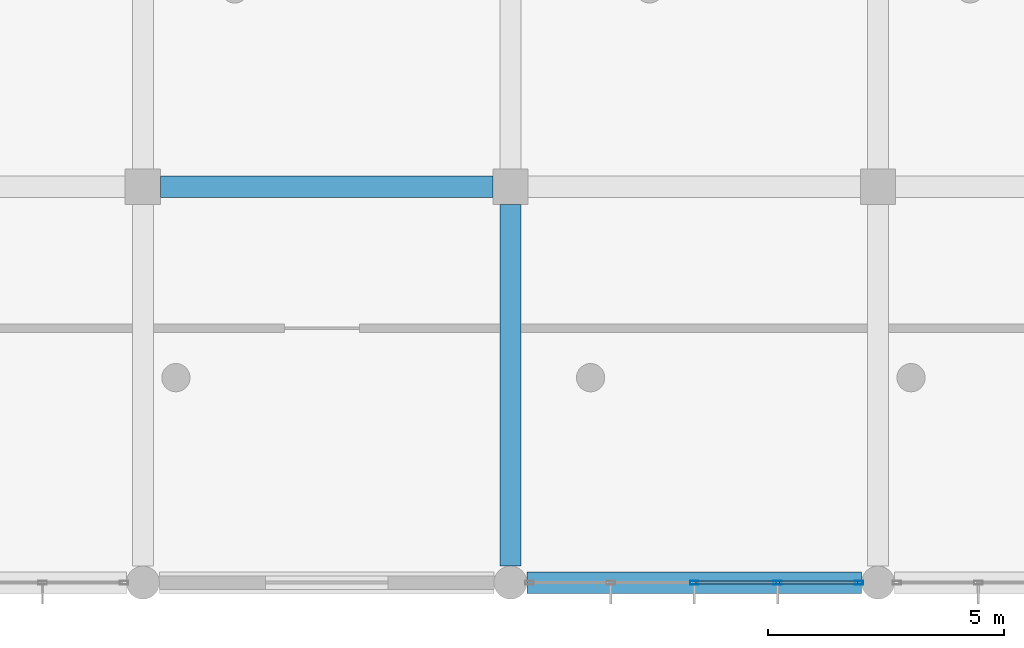
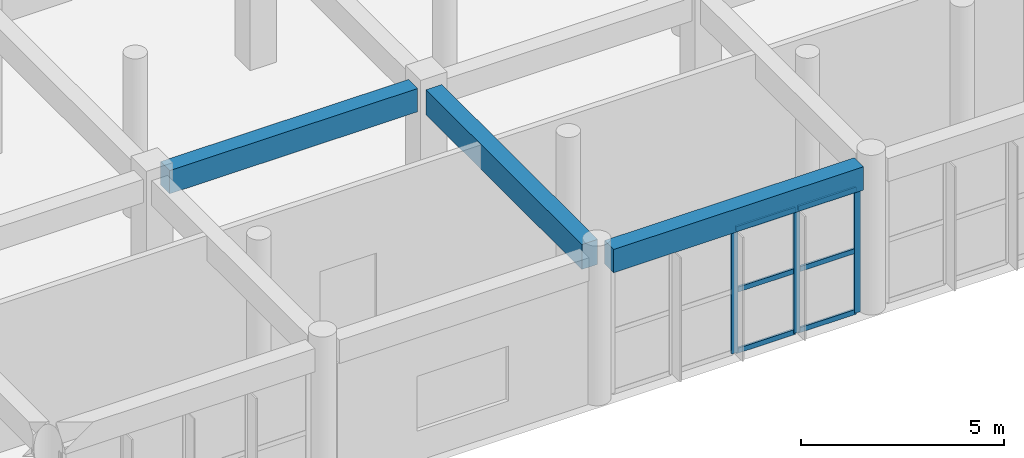
# One storey, part 34 of 167: 9 members, 3 beams, 1 element without a shape of its own.
"""IFC4 building model written with IfcOpenShell, lengths in metres."""

from ifc_helpers import new_model, si_unit, direction, frame, origin, origin_2d, place, context, subcontext, project, spatial, rectangle, hollow_rectangle, extrude, material, layer, layer_set, material_profile, profile_set, type_object, element, aggregate, save


model = new_model("IFC4")

# Units and contexts
model_context = context("Model", 3, precision=1e-05, world=origin(), true_north=direction((0.0, 1.0)))
body_context = subcontext(model_context, "Body", "Model", "MODEL_VIEW")
ifc_project = project(units=[si_unit("LENGTHUNIT", "METRE"), si_unit("AREAUNIT", "SQUARE_METRE"), si_unit("VOLUMEUNIT", "CUBIC_METRE"), si_unit("PLANEANGLEUNIT", "RADIAN"), si_unit("MASSUNIT", "GRAM", prefix="KILO")], contexts=[model_context])

# Site, building, storey
site_placement = place(None, origin())
site = spatial("IfcSite", under=ifc_project, at=site_placement, CompositionType="ELEMENT")
building_placement = place(site_placement, origin())
building = spatial("IfcBuilding", under=site, at=building_placement, Name="Zizhar Promenade General Hospital", CompositionType="ELEMENT")
storey_placement = place(building_placement, frame((0.0, 0.0, 9.60009765625)))
storey = spatial("IfcBuildingStorey", under=building, at=storey_placement, Name="L02", CompositionType="ELEMENT", Elevation=9.60009765625)

# Beams
ifc_material_1 = material(Name="Concrete C35/45", Category="concrete")
ifc_material_profile_1 = material_profile(ifc_material_1, rectangle(XDim=0.449951171875, YDim=0.699951171875, at=origin_2d()))
ifc_profile_set_1 = profile_set([ifc_material_profile_1], Name="Concrete C35/45")
beam_type_1 = type_object("IfcBeamType", Name="BM-RC-450x700", PredefinedType="BEAM", material=ifc_profile_set_1)
beam_1_placement = place(storey_placement, frame((109.574951171875, 8.39990234375, 4.119873046875), z_axis=(1.0, 0.0, 0.0), x_axis=(0.0, 1.0, 0.0)))
element("IfcBeam", 1, at=beam_1_placement, inside=storey, type_object=beam_type_1, Name="Grid Beam X L02 (14-1)", PredefinedType="BEAM", context=body_context, shape_type="SweptSolid", body=[
    extrude(rectangle(XDim=0.449951171875, YDim=0.699951171875, at=origin_2d()), origin(), (0.0, 0.0, 1.0), 7.050048828125),
])
beam_2_placement = place(storey_placement, frame((117.35009765625, 0.0, 4.119873046875), z_axis=(1.0, 0.0, 0.0), x_axis=(0.0, 1.0, 0.0)))
element("IfcBeam", 2, at=beam_2_placement, inside=storey, type_object=beam_type_1, Name="Grid Beam X L02 (15-0)", PredefinedType="BEAM", context=body_context, shape_type="SweptSolid", body=[
    extrude(rectangle(XDim=0.449951171875, YDim=0.699951171875, at=origin_2d()), origin(), (0.0, 0.0, 1.0), 7.099853515625),
])
ifc_material_2 = material(Name="Concrete C35/45", Category="concrete")
ifc_material_profile_2 = material_profile(ifc_material_2, rectangle(XDim=0.449951171875, YDim=0.75, at=origin_2d()))
ifc_profile_set_2 = profile_set([ifc_material_profile_2], Name="Concrete C35/45")
beam_type_2 = type_object("IfcBeamType", Name="BM-RC-450x750", PredefinedType="BEAM", material=ifc_profile_set_2)
beam_3_placement = place(storey_placement, frame((117.0, 0.35009765625, 4.094970703125), z_axis=(0.0, 1.0, 0.0), x_axis=(-1.0, 0.0, 0.0)))
element("IfcBeam", 3, at=beam_3_placement, inside=storey, type_object=beam_type_2, Name="Grid Beam Y L02 (15-0)", PredefinedType="BEAM", context=body_context, shape_type="SweptSolid", body=[
    extrude(rectangle(XDim=0.449951171875, YDim=0.75, at=origin_2d()), origin(), (0.0, 0.0, 1.0), 7.6748046875),
])

# Curtain wall, members
ifc_material_3 = material(Name="Anodised aluminium 6063-T6 and low-E glass", Category="aluminium")
ifc_layer = layer(ifc_material_3, 0.159912109375)
ifc_layer_set = layer_set([ifc_layer], Name="Anodised aluminium 6063-T6 and low-E glass")
curtain_wall_type = type_object("IfcCurtainWallType", Name="CW-DT-MOD1", PredefinedType="NOTDEFINED", material=ifc_layer_set)
curtain_wall_placement = place(storey_placement, origin())
curtain_wall = element("IfcCurtainWall", 4, at=curtain_wall_placement, inside=storey, type_object=curtain_wall_type, Name="Riverfront Clinical Curtain Wall L02-14", PredefinedType="NOTDEFINED")
ifc_material_4 = material(Name="Anodised aluminium 6063-T6", Category="aluminium")
ifc_material_profile_3 = material_profile(ifc_material_4, hollow_rectangle(XDim=0.080078125, YDim=0.179931640625, WallThickness=0.0048828125, at=origin_2d()))
ifc_profile_set_3 = profile_set([ifc_material_profile_3], Name="Anodised aluminium 6063-T6")
member_type_1 = type_object("IfcMemberType", Name="CWM-ALU-180x80", PredefinedType="MULLION", material=ifc_profile_set_3)
member_1_placement = place(storey_placement, frame((124.39990234375, 0.0, 0.0), z_axis=(0.0, 0.0, 1.0), x_axis=(0.0, -1.0, 0.0)))
member_1 = element("IfcMember", 5, at=member_1_placement, type_object=member_type_1, Name="CW-07 mullion 1", PredefinedType="MULLION", context=body_context, shape_type="SweptSolid", body=[
    extrude(hollow_rectangle(XDim=0.080078125, YDim=0.179931640625, WallThickness=0.0048828125, at=origin_2d()), origin(), (0.0, 0.0, 1.0), 3.72998046875),
])
member_2_placement = place(storey_placement, frame((122.669921875, 0.0, 0.0), z_axis=(0.0, 0.0, 1.0), x_axis=(0.0, -1.0, 0.0)))
member_2 = element("IfcMember", 6, at=member_2_placement, type_object=member_type_1, Name="CW-07 mullion 2", PredefinedType="MULLION", context=body_context, shape_type="SweptSolid", body=[
    extrude(hollow_rectangle(XDim=0.080078125, YDim=0.179931640625, WallThickness=0.0048828125, at=origin_2d()), origin(), (0.0, 0.0, 1.0), 3.72998046875),
])
member_3_placement = place(storey_placement, frame((120.89990234375, 0.0, 0.0), z_axis=(0.0, 0.0, 1.0), x_axis=(0.0, -1.0, 0.0)))
member_3 = element("IfcMember", 7, at=member_3_placement, type_object=member_type_1, Name="CW-07 mullion 3", PredefinedType="MULLION", context=body_context, shape_type="SweptSolid", body=[
    extrude(hollow_rectangle(XDim=0.080078125, YDim=0.179931640625, WallThickness=0.0048828125, at=origin_2d()), origin(), (0.0, 0.0, 1.0), 3.72998046875),
])
ifc_material_5 = material(Name="Anodised aluminium 6063-T6", Category="aluminium")
ifc_material_profile_4 = material_profile(ifc_material_5, hollow_rectangle(XDim=0.06005859375, YDim=0.14990234375, WallThickness=0.00390625, at=origin_2d()))
ifc_profile_set_4 = profile_set([ifc_material_profile_4], Name="Anodised aluminium 6063-T6")
member_type_2 = type_object("IfcMemberType", Name="CWT-ALU-150x60", PredefinedType="USERDEFINED", material=ifc_profile_set_4)
member_4_placement = place(storey_placement, frame((124.360107421875, 0.0, 0.02978515625), z_axis=(-1.0, 0.0, 0.0), x_axis=(0.0, -1.0, 0.0)))
member_4 = element("IfcMember", 8, at=member_4_placement, type_object=member_type_2, Name="CW-07 transom 1.1", ObjectType="TRANSOM", PredefinedType="USERDEFINED", context=body_context, shape_type="SweptSolid", body=[
    extrude(hollow_rectangle(XDim=0.06005859375, YDim=0.14990234375, WallThickness=0.00390625, at=origin_2d()), origin(), (0.0, 0.0, 1.0), 1.650146484375),
])
member_5_placement = place(storey_placement, frame((124.360107421875, 0.0, 1.864990234375), z_axis=(-1.0, 0.0, 0.0), x_axis=(0.0, -1.0, 0.0)))
member_5 = element("IfcMember", 9, at=member_5_placement, type_object=member_type_2, Name="CW-07 transom 1.2", ObjectType="TRANSOM", PredefinedType="USERDEFINED", context=body_context, shape_type="SweptSolid", body=[
    extrude(hollow_rectangle(XDim=0.06005859375, YDim=0.14990234375, WallThickness=0.00390625, at=origin_2d()), origin(), (0.0, 0.0, 1.0), 1.650146484375),
])
member_6_placement = place(storey_placement, frame((124.360107421875, 0.0, 3.699951171875), z_axis=(-1.0, 0.0, 0.0), x_axis=(0.0, -1.0, 0.0)))
member_6 = element("IfcMember", 10, at=member_6_placement, type_object=member_type_2, Name="CW-07 transom 1.3", ObjectType="TRANSOM", PredefinedType="USERDEFINED", context=body_context, shape_type="SweptSolid", body=[
    extrude(hollow_rectangle(XDim=0.06005859375, YDim=0.14990234375, WallThickness=0.00390625, at=origin_2d()), origin(), (0.0, 0.0, 1.0), 1.650146484375),
])
member_7_placement = place(storey_placement, frame((122.6298828125, 0.0, 0.02978515625), z_axis=(-1.0, 0.0, 0.0), x_axis=(0.0, -1.0, 0.0)))
member_7 = element("IfcMember", 11, at=member_7_placement, type_object=member_type_2, Name="CW-07 transom 2.1", ObjectType="TRANSOM", PredefinedType="USERDEFINED", context=body_context, shape_type="SweptSolid", body=[
    extrude(hollow_rectangle(XDim=0.06005859375, YDim=0.14990234375, WallThickness=0.00390625, at=origin_2d()), origin(), (0.0, 0.0, 1.0), 1.68994140625),
])
member_8_placement = place(storey_placement, frame((122.6298828125, 0.0, 1.864990234375), z_axis=(-1.0, 0.0, 0.0), x_axis=(0.0, -1.0, 0.0)))
member_8 = element("IfcMember", 12, at=member_8_placement, type_object=member_type_2, Name="CW-07 transom 2.2", ObjectType="TRANSOM", PredefinedType="USERDEFINED", context=body_context, shape_type="SweptSolid", body=[
    extrude(hollow_rectangle(XDim=0.06005859375, YDim=0.14990234375, WallThickness=0.00390625, at=origin_2d()), origin(), (0.0, 0.0, 1.0), 1.68994140625),
])
member_9_placement = place(storey_placement, frame((122.6298828125, 0.0, 3.699951171875), z_axis=(-1.0, 0.0, 0.0), x_axis=(0.0, -1.0, 0.0)))
member_9 = element("IfcMember", 13, at=member_9_placement, type_object=member_type_2, Name="CW-07 transom 2.3", ObjectType="TRANSOM", PredefinedType="USERDEFINED", context=body_context, shape_type="SweptSolid", body=[
    extrude(hollow_rectangle(XDim=0.06005859375, YDim=0.14990234375, WallThickness=0.00390625, at=origin_2d()), origin(), (0.0, 0.0, 1.0), 1.68994140625),
])
aggregate(curtain_wall, [member_1, member_2, member_3, member_4, member_5, member_6, member_7, member_8, member_9])

save(model, "model.ifc")
